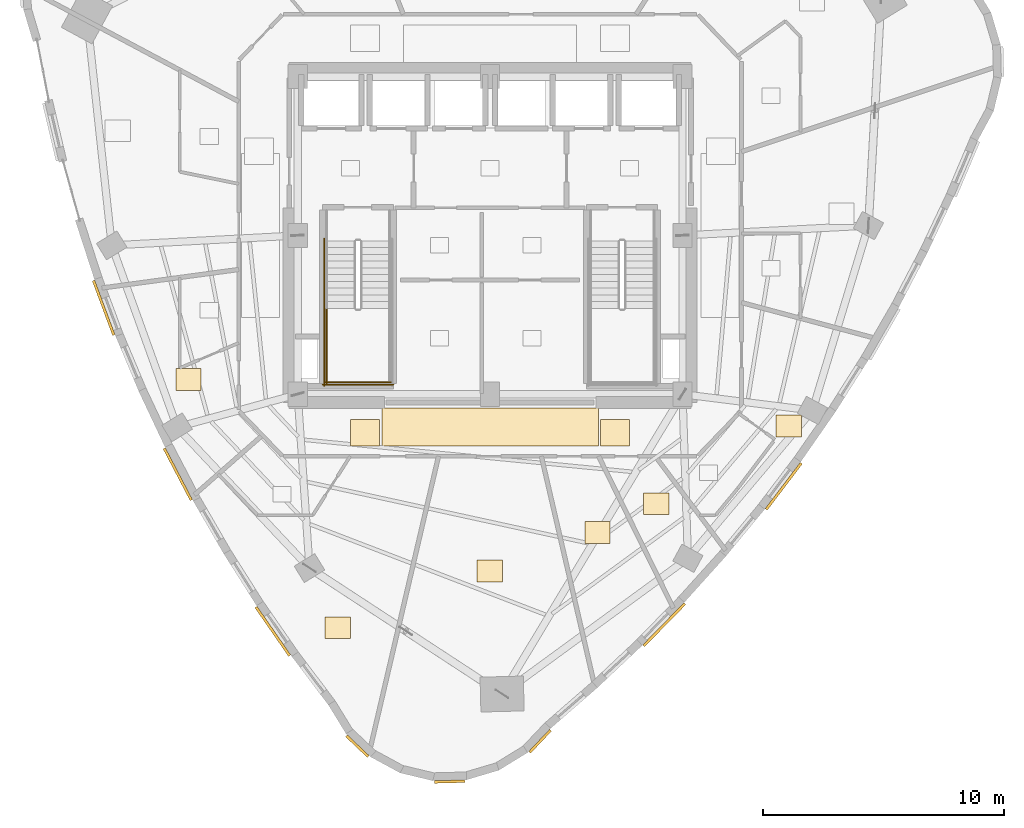
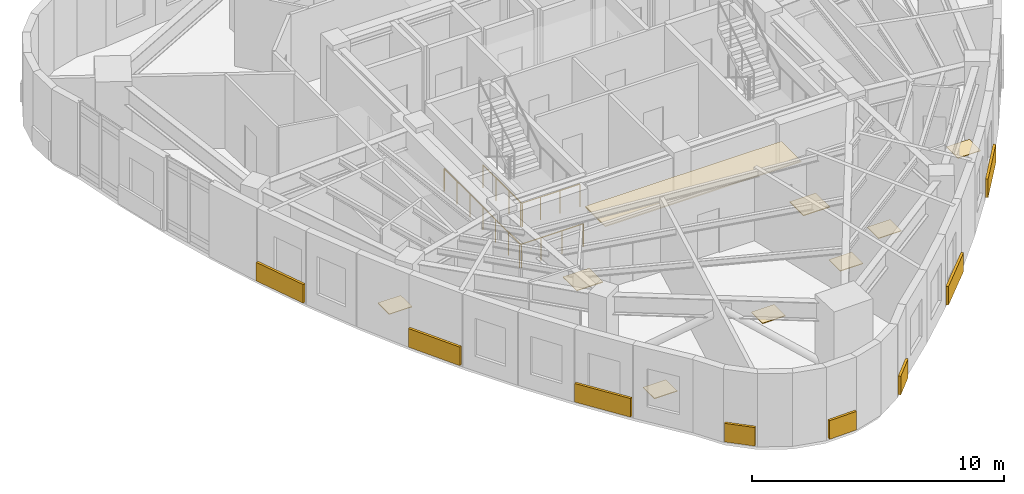
# One storey, part 14 of 16: 17 coverings, 4 railings.
"""IFC4 building model written with IfcOpenShell, lengths in metres."""

from ifc_helpers import new_model, si_unit, direction, frame, origin, origin_2d, place, context, subcontext, project, spatial, rectangle, circle, extrude, material, layer, layer_set, type_object, element, save


model = new_model("IFC4")

# Units and contexts
model_context = context("Model", 3, precision=1e-05, world=origin(), true_north=direction((0.0, 1.0)))
body_context = subcontext(model_context, "Body", "Model", "MODEL_VIEW")
ifc_project = project(units=[si_unit("LENGTHUNIT", "METRE"), si_unit("AREAUNIT", "SQUARE_METRE"), si_unit("VOLUMEUNIT", "CUBIC_METRE"), si_unit("PLANEANGLEUNIT", "RADIAN"), si_unit("MASSUNIT", "GRAM", prefix="KILO")], contexts=[model_context])

# Site, building, storey
site_placement = place(None, origin())
site = spatial("IfcSite", under=ifc_project, at=site_placement, CompositionType="ELEMENT")
building_placement = place(site_placement, origin())
building = spatial("IfcBuilding", under=site, at=building_placement, Name="Ndelora Gate Hotel", CompositionType="ELEMENT")
storey_placement = place(building_placement, frame((0.0, 0.0, 182.75)))
storey = spatial("IfcBuildingStorey", under=building, at=storey_placement, Name="L45", CompositionType="ELEMENT", Elevation=182.75)

# Coverings
ifc_material_1 = material(Name="Perforated Acoustic Gypsum Board", Category="gypsum")
ifc_layer_1 = layer(ifc_material_1, 0.054931640625)
ifc_layer_set_1 = layer_set([ifc_layer_1], Name="Perforated Acoustic Gypsum Board")
covering_type_1 = type_object("IfcCoveringType", Name="COV-CEIL-AC60", PredefinedType="CEILING", material=ifc_layer_set_1)
covering_1_placement = place(storey_placement, frame((0.0, -7.9599609375, 2.65234375), z_axis=(0.0, 0.0, 1.0), x_axis=(1.0, 0.0, 0.0)))
element("IfcCovering", 1, at=covering_1_placement, inside=storey, type_object=covering_type_1, Name="L45 Guest Corridor Acoustic Ceiling S", PredefinedType="CEILING", context=body_context, shape_type="SweptSolid", body=[
    extrude(rectangle(XDim=9.0, YDim=1.580078125, at=origin_2d()), origin(), (0.0, 0.0, 1.0), 0.054931640625),
])
ifc_material_2 = material(Name="Terracotta Fired Clay Brick Slip Cladding", Category="masonry")
ifc_layer_2 = layer(ifc_material_2, 0.110107421875)
ifc_layer_set_2 = layer_set([ifc_layer_2], Name="Terracotta Fired Clay Brick Slip Cladding")
covering_type_2 = type_object("IfcCoveringType", Name="COV-CLAD-BRK", PredefinedType="CLADDING", material=ifc_layer_set_2)
covering_2_placement = place(storey_placement, frame((-16.06591796875, -3.007568359375, 0.10009765625), z_axis=(0.0, 0.0, 1.0), x_axis=(-0.348572047322, 0.937281989492, 0.0)))
element("IfcCovering", 2, at=covering_2_placement, inside=storey, type_object=covering_type_2, Name="L45 Rounded-Corner Brick Cladding Band 13", PredefinedType="CLADDING", context=body_context, shape_type="SweptSolid", body=[
    extrude(rectangle(XDim=2.419921875, YDim=0.110107421875, at=origin_2d()), origin(), (0.0, 0.0, 1.0), 0.89990234375),
])
covering_3_placement = place(storey_placement, frame((-12.9853515625, -9.9267578125, 0.10009765625), z_axis=(0.0, 0.0, 1.0), x_axis=(-0.46329603512, 0.886203579231, 0.0)))
element("IfcCovering", 3, at=covering_3_placement, inside=storey, type_object=covering_type_2, Name="L45 Rounded-Corner Brick Cladding Band 16", PredefinedType="CLADDING", context=body_context, shape_type="SweptSolid", body=[
    extrude(rectangle(XDim=2.4208984375, YDim=0.110107421875, at=origin_2d()), origin(), (0.0, 0.0, 1.0), 0.89990234375),
])
covering_4_placement = place(storey_placement, frame((-9.033935546875, -16.457763671875, 0.10009765625), z_axis=(0.0, 0.0, 1.0), x_axis=(-0.569136023557, 0.822243386529, 0.0)))
element("IfcCovering", 4, at=covering_4_placement, inside=storey, type_object=covering_type_2, Name="L45 Rounded-Corner Brick Cladding Band 19", PredefinedType="CLADDING", context=body_context, shape_type="SweptSolid", body=[
    extrude(rectangle(XDim=2.4599609375, YDim=0.110107421875, at=origin_2d()), origin(), (0.0, 0.0, 1.0), 0.89990234375),
])
for number, where, z_axis, x_axis, name in (
    (5, (-5.52099609375, -21.23095703125, 0.10009765625), (0.0, 0.0, 1.0), (-0.725374371012, 0.688354575694, 0.0), "L45 Rounded-Corner Brick Cladding Band 22"),
    (6, (-1.68115234375, -22.705078125, 0.10009765625), (0.0, 0.0, 1.0), (0.999657324976, 0.026176948308, 0.0), "L45 Rounded-Corner Brick Cladding Band 25"),
    (7, (2.076416015625, -21.031982421875, 0.10009765625), (0.0, 0.0, 1.0), (0.688354575694, 0.725374371012, 0.0), "L45 Rounded-Corner Brick Cladding Band 28"),
):
    element("IfcCovering", number, at=place(storey_placement, frame(where, z_axis=z_axis, x_axis=x_axis)), inside=storey, type_object=covering_type_2, Name=name, PredefinedType="CLADDING", context=body_context, shape_type="SweptSolid", body=[
        extrude(rectangle(XDim=1.257080078125, YDim=0.110107421875, at=origin_2d()), origin(), (0.0, 0.0, 1.0), 0.89990234375),
    ])
covering_5_placement = place(storey_placement, frame((7.2412109375, -16.183349609375, 0.10009765625), z_axis=(0.0, 0.0, 1.0), x_axis=(0.699039579147, 0.715082978952, 0.0)))
element("IfcCovering", 8, at=covering_5_placement, inside=storey, type_object=covering_type_2, Name="L45 Rounded-Corner Brick Cladding Band 31", PredefinedType="CLADDING", context=body_context, shape_type="SweptSolid", body=[
    extrude(rectangle(XDim=2.443115234375, YDim=0.110107421875, at=origin_2d()), origin(), (0.0, 0.0, 1.0), 0.89990234375),
])
covering_6_placement = place(storey_placement, frame((12.207275390625, -10.429443359375, 0.10009765625), z_axis=(0.0, 0.0, 1.0), x_axis=(0.604599114862, 0.796529918024, 0.0)))
element("IfcCovering", 9, at=covering_6_placement, inside=storey, type_object=covering_type_2, Name="L45 Rounded-Corner Brick Cladding Band 34", PredefinedType="CLADDING", context=body_context, shape_type="SweptSolid", body=[
    extrude(rectangle(XDim=2.416015625, YDim=0.110107421875, at=origin_2d()), origin(), (0.0, 0.0, 1.0), 0.89990234375),
])
ifc_material_3 = material(Name="Engineered Highland Oak Parquet", Category="wood")
ifc_layer_3 = layer(ifc_material_3, 0.030029296875)
ifc_layer_set_3 = layer_set([ifc_layer_3], Name="Engineered Highland Oak Parquet")
covering_type_3 = type_object("IfcCoveringType", Name="COV-FLR-PARQ", PredefinedType="FLOORING", material=ifc_layer_set_3)
for number, where, z_axis, x_axis, name in (
    (10, (12.416015625, -7.918701171875, 0.0), (0.0, 0.0, 1.0), (1.0, 0.0, 0.0), "L45 Panoramic Horizon Suite 4801 Oak Parquet Flooring"),
    (11, (-12.540771484375, -5.9853515625, 0.0), (0.0, 0.0, 1.0), (1.0, 0.0, 0.0), "L45 Altitude Deluxe Guest Room 4806 Oak Parquet Flooring"),
    (12, (-6.3369140625, -16.310791015625, 0.0), (0.0, 0.0, 1.0), (1.0, 0.0, 0.0), "L45 Executive Sky Suite 4807 Oak Parquet Flooring"),
    (13, (-0.01025390625, -13.94775390625, 0.0), (0.0, 0.0, 1.0), (1.0, 0.0, 0.0), "L45 Butler Service Kitchen Oak Parquet Flooring"),
    (14, (4.468505859375, -12.349853515625, 0.0), (0.0, 0.0, 1.0), (1.0, 0.0, 0.0), "L45 Housekeeping and Linen Room Oak Parquet Flooring"),
    (15, (6.91162109375, -11.154296875, 0.0), (0.0, 0.0, 1.0), (1.0, 0.0, 0.0), "L45 Accessible WC Oak Parquet Flooring"),
):
    element("IfcCovering", number, at=place(storey_placement, frame(where, z_axis=z_axis, x_axis=x_axis)), inside=storey, type_object=covering_type_3, Name=name, PredefinedType="FLOORING", context=body_context, shape_type="SweptSolid", body=[
        extrude(rectangle(XDim=1.050048828125, YDim=0.89990234375, at=origin_2d()), origin(), (0.0, 0.0, 1.0), 0.030029296875),
    ])
ifc_material_4 = material(Name="Polished Highland Stone Terrazzo", Category="masonry")
ifc_layer_4 = layer(ifc_material_4, 0.034912109375)
ifc_layer_set_4 = layer_set([ifc_layer_4], Name="Polished Highland Stone Terrazzo")
covering_type_4 = type_object("IfcCoveringType", Name="COV-FLR-TERZ", PredefinedType="FLOORING", material=ifc_layer_set_4)
for number, where, z_axis, x_axis, name in (
    (16, (-5.199951171875, -8.199951171875, 0.0), (0.0, 0.0, 1.0), (1.0, 0.0, 0.0), "L45 Corridor Threshold Terrazzo Inlay SW"),
    (17, (5.199951171875, -8.199951171875, 0.0), (0.0, 0.0, 1.0), (1.0, 0.0, 0.0), "L45 Corridor Threshold Terrazzo Inlay SE"),
):
    element("IfcCovering", number, at=place(storey_placement, frame(where, z_axis=z_axis, x_axis=x_axis)), inside=storey, type_object=covering_type_4, Name=name, PredefinedType="FLOORING", context=body_context, shape_type="SweptSolid", body=[
        extrude(rectangle(XDim=1.199951171875, YDim=1.10009765625, at=origin_2d()), origin(), (0.0, 0.0, 1.0), 0.034912109375),
    ])

# Railings
ifc_material_5 = material(Name="Painted Galvanized Steel Balustrade", Category="steel")
ifc_layer_5 = layer(ifc_material_5, 0.06005859375)
ifc_layer_set_5 = layer_set([ifc_layer_5], Name="Painted Galvanized Steel Balustrade")
railing_type = type_object("IfcRailingType", Name="RL-STAIR-GD", PredefinedType="GUARDRAIL", material=ifc_layer_set_5)
railing_1_placement = place(storey_placement, frame((-6.800048828125, -3.030029296875, 1.89990234375)))
element("IfcRailing", 18, at=railing_1_placement, inside=storey, type_object=railing_type, Name="L45 ST4 stair guard 3", PredefinedType="GUARDRAIL", context=body_context, shape_type="SweptSolid", body=[
    extrude(circle(Radius=0.02392578125, at=origin_2d()), frame((0.0, 0.0, 1.10595703125), z_axis=(0.0, -1.0, 0.0), x_axis=(1.0, 0.0, 0.0)), (0.0, 0.0, 1.0), 3.119873046875),
    extrude(circle(Radius=0.02099609375, at=origin_2d()), origin(), (0.0, 0.0, 1.0), 1.081787109375),
    extrude(circle(Radius=0.02099609375, at=origin_2d()), frame((0.0, -1.0400390625, 0.0)), (0.0, 0.0, 1.0), 1.081787109375),
    extrude(circle(Radius=0.02099609375, at=origin_2d()), frame((0.0, -2.079833984375, 0.0)), (0.0, 0.0, 1.0), 1.081787109375),
    extrude(circle(Radius=0.02099609375, at=origin_2d()), frame((0.0, -3.119873046875, 0.0)), (0.0, 0.0, 1.0), 1.081787109375),
])
railing_2_placement = place(storey_placement, frame((-6.85009765625, -6.10009765625, 1.89990234375)))
element("IfcRailing", 19, at=railing_2_placement, inside=storey, type_object=railing_type, Name="L45 ST4 stair guard 5", PredefinedType="GUARDRAIL", context=body_context, shape_type="SweptSolid", body=[
    extrude(circle(Radius=0.02392578125, at=origin_2d()), frame((0.0, 0.0, 1.10595703125), z_axis=(1.0, 0.0, 0.0), x_axis=(0.0, 1.0, 0.0)), (0.0, 0.0, 1.0), 2.72021484375),
    extrude(circle(Radius=0.02099609375, at=origin_2d()), origin(), (0.0, 0.0, 1.0), 1.081787109375),
    extrude(circle(Radius=0.02099609375, at=origin_2d()), frame((0.90673828125, 0.0, 0.0)), (0.0, 0.0, 1.0), 1.081787109375),
    extrude(circle(Radius=0.02099609375, at=origin_2d()), frame((1.8134765625, 0.0, 0.0)), (0.0, 0.0, 1.0), 1.081787109375),
    extrude(circle(Radius=0.02099609375, at=origin_2d()), frame((2.72021484375, 0.0, 0.0)), (0.0, 0.0, 1.0), 1.081787109375),
])
railing_3_placement = place(storey_placement, frame((-6.89990234375, -0.1298828125, 0.0)))
element("IfcRailing", 20, at=railing_3_placement, inside=storey, type_object=railing_type, Name="L45 ST4 stair guard 10", PredefinedType="GUARDRAIL", context=body_context, shape_type="SweptSolid", body=[
    extrude(circle(Radius=0.02392578125, at=origin_2d()), frame((0.0, 0.0, 1.10595703125), z_axis=(0.0, -1.0, 0.0), x_axis=(1.0, 0.0, 0.0)), (0.0, 0.0, 1.0), 6.1201171875),
    extrude(circle(Radius=0.02099609375, at=origin_2d()), origin(), (0.0, 0.0, 1.0), 1.081787109375),
    extrude(circle(Radius=0.02099609375, at=origin_2d()), frame((0.0, -1.02001953125, 0.0)), (0.0, 0.0, 1.0), 1.081787109375),
    extrude(circle(Radius=0.02099609375, at=origin_2d()), frame((0.0, -2.0400390625, 0.0)), (0.0, 0.0, 1.0), 1.081787109375),
    extrude(circle(Radius=0.02099609375, at=origin_2d()), frame((0.0, -3.06005859375, 0.0)), (0.0, 0.0, 1.0), 1.081787109375),
    extrude(circle(Radius=0.02099609375, at=origin_2d()), frame((0.0, -4.080078125, 0.0)), (0.0, 0.0, 1.0), 1.081787109375),
    extrude(circle(Radius=0.02099609375, at=origin_2d()), frame((0.0, -5.10009765625, 0.0)), (0.0, 0.0, 1.0), 1.081787109375),
    extrude(circle(Radius=0.02099609375, at=origin_2d()), frame((0.0, -6.1201171875, 0.0)), (0.0, 0.0, 1.0), 1.081787109375),
])
railing_4_placement = place(storey_placement, frame((-6.949951171875, -6.199951171875, 0.0)))
element("IfcRailing", 21, at=railing_4_placement, inside=storey, type_object=railing_type, Name="L45 ST4 stair guard 12", PredefinedType="GUARDRAIL", context=body_context, shape_type="SweptSolid", body=[
    extrude(circle(Radius=0.02392578125, at=origin_2d()), frame((0.0, 0.0, 1.10595703125), z_axis=(1.0, 0.0, 0.0), x_axis=(0.0, 1.0, 0.0)), (0.0, 0.0, 1.0), 2.919921875),
    extrude(circle(Radius=0.02099609375, at=origin_2d()), origin(), (0.0, 0.0, 1.0), 1.081787109375),
    extrude(circle(Radius=0.02099609375, at=origin_2d()), frame((0.973388671875, 0.0, 0.0)), (0.0, 0.0, 1.0), 1.081787109375),
    extrude(circle(Radius=0.02099609375, at=origin_2d()), frame((1.946533203125, 0.0, 0.0)), (0.0, 0.0, 1.0), 1.081787109375),
    extrude(circle(Radius=0.02099609375, at=origin_2d()), frame((2.919921875, 0.0, 0.0)), (0.0, 0.0, 1.0), 1.081787109375),
])

save(model, "model.ifc")
